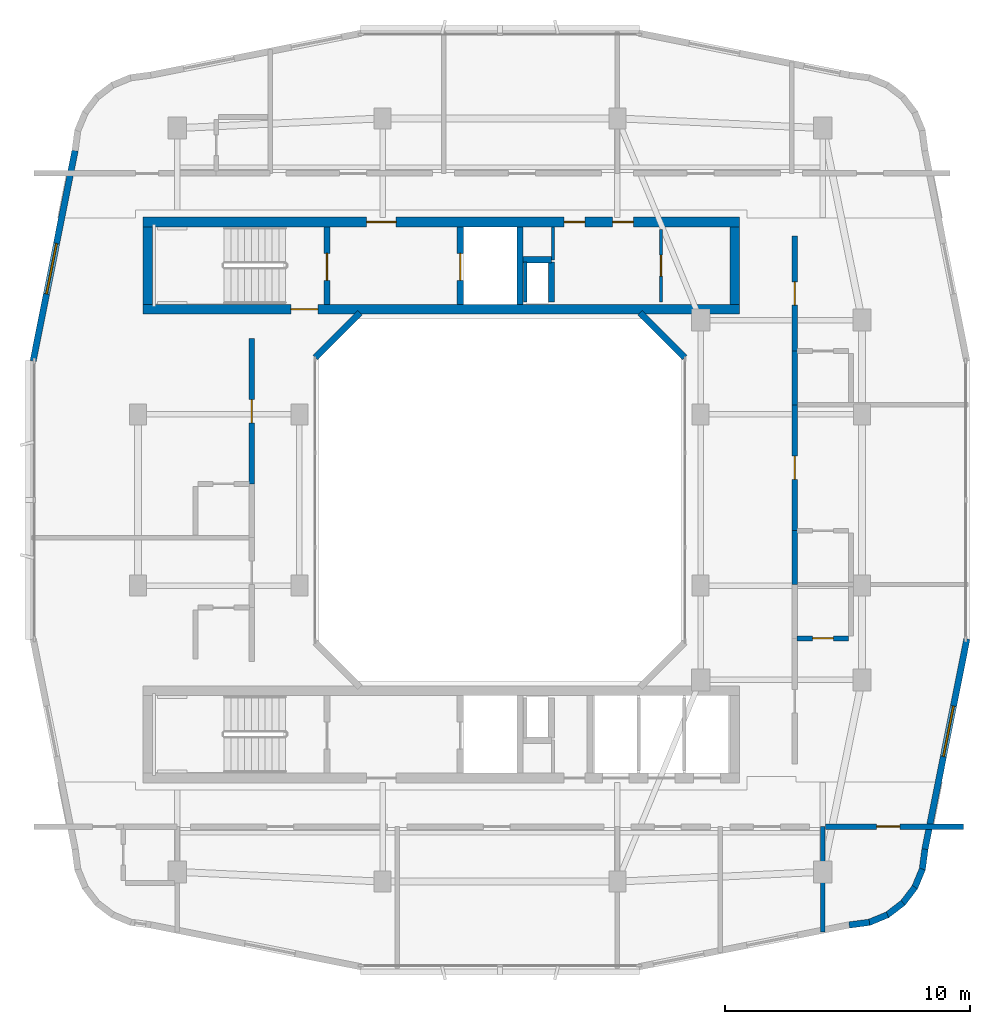
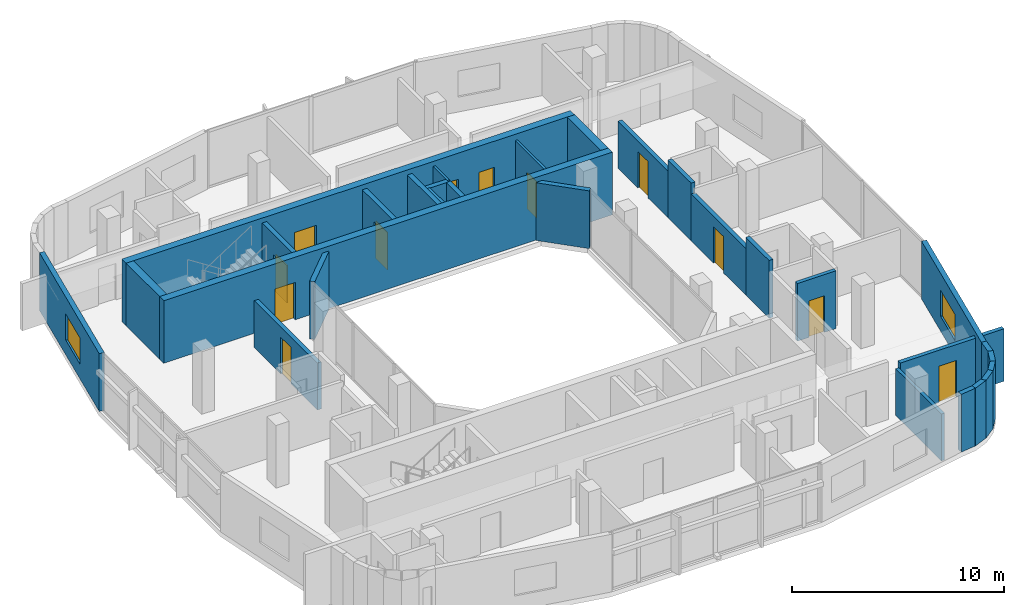
# One storey, part 8 of 14: 30 walls, 12 doors, 2 windows, 14 openings.
"""IFC4 building model written with IfcOpenShell, lengths in metres."""

from ifc_helpers import new_model, si_unit, derived_unit, direction, frame, frame_2d, origin, place, context, subcontext, project, spatial, rectangle, extrude, material, layer, layer_set, type_object, element, fill, save


model = new_model("IFC4")

# Units and contexts
model_context = context("Model", 3, precision=1e-05, world=origin(), true_north=direction((0.0, 1.0)))
body_context = subcontext(model_context, "Body", "Model", "MODEL_VIEW")
ifc_project = project(units=[si_unit("LENGTHUNIT", "METRE"), si_unit("AREAUNIT", "SQUARE_METRE"), si_unit("VOLUMEUNIT", "CUBIC_METRE"), si_unit("PLANEANGLEUNIT", "RADIAN"), si_unit("MASSUNIT", "GRAM", prefix="KILO"), derived_unit("THERMALTRANSMITTANCEUNIT", [(si_unit("POWERUNIT", "WATT"), 1), (si_unit("LENGTHUNIT", "METRE"), -2), (si_unit("THERMODYNAMICTEMPERATUREUNIT", "KELVIN"), -1)])], contexts=[model_context])

# Site, building, storey
site_placement = place(None, origin())
site = spatial("IfcSite", under=ifc_project, at=site_placement, CompositionType="ELEMENT")
building_placement = place(site_placement, origin())
building = spatial("IfcBuilding", under=site, at=building_placement, Name="Kivonza Crest Hotel", CompositionType="ELEMENT")
storey_placement = place(building_placement, frame((0.0, 0.0, 213.5)))
storey = spatial("IfcBuildingStorey", under=building, at=storey_placement, Name="L58", CompositionType="ELEMENT", Elevation=213.5)

# Wall
ifc_material_1 = material(Name="High-density acoustic masonry inter-tenancy wall", Category="masonry")
ifc_layer_1 = layer(ifc_material_1, 0.179931640625)
ifc_layer_set_1 = layer_set([ifc_layer_1], Name="High-density acoustic masonry inter-tenancy wall")
wall_type_1 = type_object("IfcWallType", Name="WL-ACOU-180", PredefinedType="SOLIDWALL", material=ifc_layer_set_1)
wall_1_placement = place(storey_placement, frame((34.199951171875, 7.342041015625, 0.0), z_axis=(0.0, 0.0, 1.0), x_axis=(0.0, 1.0, 0.0)))
element("IfcWall", 1, at=wall_1_placement, inside=storey, type_object=wall_type_1, Name="L58 interior partition WA-L58-T1S-DIV3", PredefinedType="SOLIDWALL", context=body_context, shape_type="SweptSolid", body=[
    extrude(rectangle(XDim=4.307861328125, YDim=0.179931640625, at=frame_2d((2.15380859375, 0.0))), origin(), (0.0, 0.0, 1.0), 2.695068359375),
])

# Wall, opening, door
ifc_material_2 = material(Name="Autoclaved aerated concrete blockwork", Category="masonry")
ifc_layer_2 = layer(ifc_material_2, 0.219970703125)
ifc_layer_set_2 = layer_set([ifc_layer_2], Name="Autoclaved aerated concrete blockwork")
wall_type_2 = type_object("IfcWallType", Name="WL-ACOU-220", PredefinedType="SOLIDWALL", material=ifc_layer_set_2)
wall_2_placement = place(storey_placement, frame((34.300048828125, 11.64990234375, 0.0), z_axis=(0.0, 0.0, 1.0), x_axis=(1.0, 0.0, 0.0)))
wall_2 = element("IfcWall", 2, at=wall_2_placement, inside=storey, type_object=wall_type_2, Name="L58 interior partition WA-L58-BUS-MTG-N", PredefinedType="SOLIDWALL", context=body_context, shape_type="SweptSolid", body=[
    extrude(rectangle(XDim=5.639892578125, YDim=0.219970703125, at=frame_2d((2.81982421875, 0.0))), origin(), (0.0, 0.0, 1.0), 3.014892578125),
])
opening_1_placement = place(wall_2_placement, frame((2.10009765625, 0.0, 0.0)))
opening_1 = element("IfcOpeningElement", 3, at=opening_1_placement, cuts=wall_2, Name="Opening DF-60S", PredefinedType="OPENING", context=body_context, shape_type="SweptSolid", body=[
    extrude(rectangle(XDim=0.949951171875, YDim=2.10009765625, at=frame_2d((0.47509765625, 1.050048828125))), frame((0.0, 0.1201171875, 0.0), z_axis=(0.0, -1.0, 0.0), x_axis=(1.0, 0.0, 0.0)), (0.0, 0.0, 1.0), 0.239990234375),
])
ifc_material_3 = material(Name="Hardwood timber oak", Category="wood")
door_type_1 = type_object("IfcDoorType", Name="DR-FD60-950", OperationType="NOTDEFINED", PredefinedType="DOOR", material=ifc_material_3)
door_1_placement = place(opening_1_placement, frame((0.949951171875, 0.0, 0.0), z_axis=(0.0, 0.0, 1.0), x_axis=(-1.0, 0.0, 0.0)))
door_1 = element("IfcDoor", 4, at=door_1_placement, inside=storey, type_object=door_type_1, Name="L58 Floor Conference Boardroom door", OperationType="SINGLE_SWING_RIGHT", OverallHeight=2.10009765625, OverallWidth=0.949951171875, PredefinedType="DOOR", context=body_context, shape_type="SweptSolid", body=[
    extrude(rectangle(XDim=0.949951171875, YDim=2.10009765625, at=frame_2d((0.47509765625, 1.050048828125))), frame((0.0, 0.02490234375, 0.0), z_axis=(0.0, -1.0, 0.0), x_axis=(1.0, 0.0, 0.0)), (0.0, 0.0, 1.0), 0.050048828125),
])
fill(opening_1, door_1)

wall_3_placement = place(storey_placement, frame((10.85009765625, 25.659912109375, 0.0), z_axis=(0.0, 0.0, 1.0), x_axis=(0.0, 1.0, 0.0)))
wall_3 = element("IfcWall", 5, at=wall_3_placement, inside=storey, type_object=wall_type_2, Name="L58 interior partition WA-L58-W04-MCORR", PredefinedType="SOLIDWALL", context=body_context, shape_type="SweptSolid", body=[
    extrude(rectangle(XDim=5.940185546875, YDim=0.219970703125, at=frame_2d((2.97021484375, 0.0))), origin(), (0.0, 0.0, 1.0), 2.695068359375),
])
opening_2_placement = place(wall_3_placement, frame((2.4951171875, 0.0, 0.0)))
opening_2 = element("IfcOpeningElement", 6, at=opening_2_placement, cuts=wall_3, Name="Opening DU-60", PredefinedType="OPENING", context=body_context, shape_type="SweptSolid", body=[
    extrude(rectangle(XDim=0.949951171875, YDim=2.10009765625, at=frame_2d((0.47509765625, 1.050048828125))), frame((0.0, 0.1201171875, 0.0), z_axis=(0.0, -1.0, 0.0), x_axis=(1.0, 0.0, 0.0)), (0.0, 0.0, 1.0), 0.239990234375),
])
door_type_2 = type_object("IfcDoorType", Name="DR-UNIT-950", OperationType="NOTDEFINED", PredefinedType="DOOR", material=ifc_material_3)
door_2_placement = place(opening_2_placement, origin())
door_2 = element("IfcDoor", 7, at=door_2_placement, inside=storey, type_object=door_type_2, Name="L58 W04 guest unit entrance fire door", OperationType="SINGLE_SWING_RIGHT", OverallHeight=2.10009765625, OverallWidth=0.949951171875, PredefinedType="DOOR", context=body_context, shape_type="SweptSolid", body=[
    extrude(rectangle(XDim=0.949951171875, YDim=2.10009765625, at=frame_2d((0.47509765625, 1.050048828125))), frame((0.0, 0.02490234375, 0.0), z_axis=(0.0, -1.0, 0.0), x_axis=(1.0, 0.0, 0.0)), (0.0, 0.0, 1.0), 0.050048828125),
])
fill(opening_2, door_2)

# Wall
wall_4_placement = place(storey_placement, frame((33.050048828125, 21.5439453125, 0.0), z_axis=(0.0, 0.0, 1.0), x_axis=(0.0, 1.0, 0.0)))
element("IfcWall", 8, at=wall_4_placement, inside=storey, type_object=wall_type_2, Name="L58 interior partition WA-L58-E06-BCORR", PredefinedType="SOLIDWALL", context=body_context, shape_type="SweptSolid", body=[
    extrude(rectangle(XDim=2.199951171875, YDim=0.219970703125, at=frame_2d((1.10009765625, 0.0))), origin(), (0.0, 0.0, 1.0), 3.320068359375),
])

# Wall, opening, door
wall_5_placement = place(storey_placement, frame((33.050048828125, 23.743896484375, 0.0), z_axis=(0.0, 0.0, 1.0), x_axis=(0.0, 1.0, 0.0)))
wall_5 = element("IfcWall", 9, at=wall_5_placement, inside=storey, type_object=wall_type_2, Name="L58 interior partition WA-L58-E06-MCORR", PredefinedType="SOLIDWALL", context=body_context, shape_type="SweptSolid", body=[
    extrude(rectangle(XDim=5.14404296875, YDim=0.219970703125, at=frame_2d((2.572021484375, 0.0))), origin(), (0.0, 0.0, 1.0), 2.695068359375),
])
opening_3_placement = place(wall_5_placement, frame((2.096923828125, 0.0, 0.0)))
opening_3 = element("IfcOpeningElement", 10, at=opening_3_placement, cuts=wall_5, Name="Opening DU-60", PredefinedType="OPENING", context=body_context, shape_type="SweptSolid", body=[
    extrude(rectangle(XDim=0.949951171875, YDim=2.10009765625, at=frame_2d((0.47509765625, 1.050048828125))), frame((0.0, 0.1201171875, 0.0), z_axis=(0.0, -1.0, 0.0), x_axis=(1.0, 0.0, 0.0)), (0.0, 0.0, 1.0), 0.239990234375),
])
door_3_placement = place(opening_3_placement, frame((0.949951171875, 0.0, 0.0), z_axis=(0.0, 0.0, 1.0), x_axis=(-1.0, 0.0, 0.0)))
door_3 = element("IfcDoor", 11, at=door_3_placement, inside=storey, type_object=door_type_2, Name="L58 E06 guest unit entrance fire door", OperationType="SINGLE_SWING_RIGHT", OverallHeight=2.10009765625, OverallWidth=0.949951171875, PredefinedType="DOOR", context=body_context, shape_type="SweptSolid", body=[
    extrude(rectangle(XDim=0.949951171875, YDim=2.10009765625, at=frame_2d((0.47509765625, 1.050048828125))), frame((0.0, 0.02490234375, 0.0), z_axis=(0.0, -1.0, 0.0), x_axis=(1.0, 0.0, 0.0)), (0.0, 0.0, 1.0), 0.050048828125),
])
fill(opening_3, door_3)

# Wall
wall_6_placement = place(storey_placement, frame((33.050048828125, 28.887939453125, 0.0), z_axis=(0.0, 0.0, 1.0), x_axis=(0.0, 1.0, 0.0)))
element("IfcWall", 12, at=wall_6_placement, inside=storey, type_object=wall_type_2, Name="L58 interior partition WA-L58-E07-BCORR", PredefinedType="SOLIDWALL", context=body_context, shape_type="SweptSolid", body=[
    extrude(rectangle(XDim=2.199951171875, YDim=0.219970703125, at=frame_2d((1.10009765625, 0.0))), origin(), (0.0, 0.0, 1.0), 3.320068359375),
])

# Wall, opening, door
wall_7_placement = place(storey_placement, frame((33.050048828125, 31.087890625, 0.0), z_axis=(0.0, 0.0, 1.0), x_axis=(0.0, 1.0, 0.0)))
wall_7 = element("IfcWall", 13, at=wall_7_placement, inside=storey, type_object=wall_type_2, Name="L58 interior partition WA-L58-E07-MCORR", PredefinedType="SOLIDWALL", context=body_context, shape_type="SweptSolid", body=[
    extrude(rectangle(XDim=4.712158203125, YDim=0.219970703125, at=frame_2d((2.35595703125, 0.0))), origin(), (0.0, 0.0, 1.0), 2.695068359375),
])
opening_4_placement = place(wall_7_placement, frame((1.881103515625, 0.0, 0.0)))
opening_4 = element("IfcOpeningElement", 14, at=opening_4_placement, cuts=wall_7, Name="Opening DU-60", PredefinedType="OPENING", context=body_context, shape_type="SweptSolid", body=[
    extrude(rectangle(XDim=0.949951171875, YDim=2.10009765625, at=frame_2d((0.47509765625, 1.050048828125))), frame((0.0, 0.1201171875, 0.0), z_axis=(0.0, -1.0, 0.0), x_axis=(1.0, 0.0, 0.0)), (0.0, 0.0, 1.0), 0.239990234375),
])
door_4_placement = place(opening_4_placement, frame((0.949951171875, 0.0, 0.0), z_axis=(0.0, 0.0, 1.0), x_axis=(-1.0, 0.0, 0.0)))
door_4 = element("IfcDoor", 15, at=door_4_placement, inside=storey, type_object=door_type_2, Name="L58 E07 guest unit entrance fire door", OperationType="SINGLE_SWING_LEFT", OverallHeight=2.10009765625, OverallWidth=0.949951171875, PredefinedType="DOOR", context=body_context, shape_type="SweptSolid", body=[
    extrude(rectangle(XDim=0.949951171875, YDim=2.10009765625, at=frame_2d((0.47509765625, 1.050048828125))), frame((0.0, 0.02490234375, 0.0), z_axis=(0.0, -1.0, 0.0), x_axis=(1.0, 0.0, 0.0)), (0.0, 0.0, 1.0), 0.050048828125),
])
fill(opening_4, door_4)

ifc_material_4 = material(Name="Concrete C50/60", Category="concrete")
ifc_layer_3 = layer(ifc_material_4, 0.39990234375)
ifc_layer_set_3 = layer_set([ifc_layer_3], Name="Concrete C50/60")
wall_type_3 = type_object("IfcWallType", Name="WL-CORE-400", PredefinedType="SHEAR", material=ifc_layer_set_3)
wall_8_placement = place(storey_placement, frame((6.39990234375, 32.800048828125, 0.0), z_axis=(0.0, 0.0, 1.0), x_axis=(1.0, 0.0, 0.0)))
wall_8 = element("IfcWall", 16, at=wall_8_placement, inside=storey, type_object=wall_type_3, Name="Core wall T1-N South L58", PredefinedType="SHEAR", context=body_context, shape_type="SweptSolid", body=[
    extrude(rectangle(XDim=24.400146484375, YDim=0.39990234375, at=frame_2d((12.2001953125, 0.0))), origin(), (0.0, 0.0, 1.0), 3.60009765625),
])
opening_5_placement = place(wall_8_placement, frame((6.050048828125, 0.0, 0.0)))
opening_5 = element("IfcOpeningElement", 17, at=opening_5_placement, cuts=wall_8, Name="Opening DF-120", PredefinedType="OPENING", context=body_context, shape_type="SweptSolid", body=[
    extrude(rectangle(XDim=1.10009765625, YDim=2.14990234375, at=frame_2d((0.550048828125, 1.074951171875))), frame((0.0, 0.2099609375, 0.0), z_axis=(0.0, -1.0, 0.0), x_axis=(1.0, 0.0, 0.0)), (0.0, 0.0, 1.0), 0.419921875),
])
ifc_material_5 = material(Name="Galvanised steel", Category="steel")
door_type_3 = type_object("IfcDoorType", Name="DR-FD120-1100", OperationType="NOTDEFINED", PredefinedType="DOOR", material=ifc_material_5)
door_5_placement = place(opening_5_placement, origin())
door_5 = element("IfcDoor", 18, at=door_5_placement, inside=storey, type_object=door_type_3, Name="L58 West corridor stair access fire door", OperationType="SINGLE_SWING_LEFT", OverallHeight=2.14990234375, OverallWidth=1.10009765625, PredefinedType="DOOR", context=body_context, shape_type="SweptSolid", body=[
    extrude(rectangle(XDim=1.10009765625, YDim=2.14990234375, at=frame_2d((0.550048828125, 1.074951171875))), frame((0.0, 0.02490234375, 0.0), z_axis=(0.0, -1.0, 0.0), x_axis=(1.0, 0.0, 0.0)), (0.0, 0.0, 1.0), 0.050048828125),
])
fill(opening_5, door_5)

# Wall, openings, doors
wall_9_placement = place(storey_placement, frame((6.39990234375, 36.360107421875, 0.0), z_axis=(0.0, 0.0, 1.0), x_axis=(1.0, 0.0, 0.0)))
wall_9 = element("IfcWall", 19, at=wall_9_placement, inside=storey, type_object=wall_type_3, Name="Core wall T1-N North L58", PredefinedType="SHEAR", context=body_context, shape_type="SweptSolid", body=[
    extrude(rectangle(XDim=24.400146484375, YDim=0.39990234375, at=frame_2d((12.2001953125, 0.0))), origin(), (0.0, 0.0, 1.0), 3.60009765625),
])
opening_6_placement = place(wall_9_placement, frame((9.14990234375, 0.0, 0.0)))
opening_6 = element("IfcOpeningElement", 20, at=opening_6_placement, cuts=wall_9, Name="Opening DF-60", PredefinedType="OPENING", context=body_context, shape_type="SweptSolid", body=[
    extrude(rectangle(XDim=1.199951171875, YDim=2.14990234375, at=frame_2d((0.60009765625, 1.074951171875))), frame((0.0, 0.2099609375, 0.0), z_axis=(0.0, -1.0, 0.0), x_axis=(1.0, 0.0, 0.0)), (0.0, 0.0, 1.0), 0.419921875),
])
opening_7_placement = place(wall_9_placement, frame((19.199951171875, 0.0, 0.0)))
opening_7 = element("IfcOpeningElement", 21, at=opening_7_placement, cuts=wall_9, Name="Opening DF-60R", PredefinedType="OPENING", context=body_context, shape_type="SweptSolid", body=[
    extrude(rectangle(XDim=0.85009765625, YDim=2.10009765625, at=frame_2d((0.425048828125, 1.050048828125))), frame((0.0, 0.2099609375, 0.0), z_axis=(0.0, -1.0, 0.0), x_axis=(1.0, 0.0, 0.0)), (0.0, 0.0, 1.0), 0.419921875),
])
opening_8_placement = place(wall_9_placement, frame((17.219970703125, 0.0, 0.0)))
opening_8 = element("IfcOpeningElement", 22, at=opening_8_placement, cuts=wall_9, Name="Opening DF-60R", PredefinedType="OPENING", context=body_context, shape_type="SweptSolid", body=[
    extrude(rectangle(XDim=0.85009765625, YDim=2.10009765625, at=frame_2d((0.425048828125, 1.050048828125))), frame((0.0, 0.2099609375, 0.0), z_axis=(0.0, -1.0, 0.0), x_axis=(1.0, 0.0, 0.0)), (0.0, 0.0, 1.0), 0.419921875),
])
door_type_4 = type_object("IfcDoorType", Name="DR-FD60-1200", OperationType="NOTDEFINED", PredefinedType="DOOR", material=ifc_material_3)
door_6_placement = place(opening_6_placement, origin())
door_6 = element("IfcDoor", 23, at=door_6_placement, inside=storey, type_object=door_type_4, Name="L58 T1-N firefighting lobby fire door", OperationType="SINGLE_SWING_RIGHT", OverallHeight=2.14990234375, OverallWidth=1.199951171875, PredefinedType="DOOR", context=body_context, shape_type="SweptSolid", body=[
    extrude(rectangle(XDim=1.199951171875, YDim=2.14990234375, at=frame_2d((0.60009765625, 1.074951171875))), frame((0.0, 0.02490234375, 0.0), z_axis=(0.0, -1.0, 0.0), x_axis=(1.0, 0.0, 0.0)), (0.0, 0.0, 1.0), 0.050048828125),
])
fill(opening_6, door_6)
door_type_5 = type_object("IfcDoorType", Name="DR-FD60-850", OperationType="NOTDEFINED", PredefinedType="DOOR", material=ifc_material_3)
door_7_placement = place(opening_7_placement, origin())
door_7 = element("IfcDoor", 24, at=door_7_placement, inside=storey, type_object=door_type_5, Name="L58 T1-N reclaimed core service door", OperationType="SINGLE_SWING_LEFT", OverallHeight=2.10009765625, OverallWidth=0.85009765625, PredefinedType="DOOR", context=body_context, shape_type="SweptSolid", body=[
    extrude(rectangle(XDim=0.85009765625, YDim=2.10009765625, at=frame_2d((0.425048828125, 1.050048828125))), frame((0.0, 0.02490234375, 0.0), z_axis=(0.0, -1.0, 0.0), x_axis=(1.0, 0.0, 0.0)), (0.0, 0.0, 1.0), 0.050048828125),
])
fill(opening_7, door_7)
door_8_placement = place(opening_8_placement, origin())
door_8 = element("IfcDoor", 25, at=door_8_placement, inside=storey, type_object=door_type_5, Name="L58 T1-N core room door", OperationType="SINGLE_SWING_RIGHT", OverallHeight=2.10009765625, OverallWidth=0.85009765625, PredefinedType="DOOR", context=body_context, shape_type="SweptSolid", body=[
    extrude(rectangle(XDim=0.85009765625, YDim=2.10009765625, at=frame_2d((0.425048828125, 1.050048828125))), frame((0.0, 0.02490234375, 0.0), z_axis=(0.0, -1.0, 0.0), x_axis=(1.0, 0.0, 0.0)), (0.0, 0.0, 1.0), 0.050048828125),
])
fill(opening_8, door_8)

# Walls
for number, where, z_axis, x_axis, name in (
    (26, (6.60009765625, 33.0, 0.0), (0.0, 0.0, 1.0), (0.0, 1.0, 0.0), "Core wall T1-N West L58"),
    (27, (30.60009765625, 33.0, 0.0), (0.0, 0.0, 1.0), (0.0, 1.0, 0.0), "Core wall T1-N East L58"),
):
    element("IfcWall", number, at=place(storey_placement, frame(where, z_axis=z_axis, x_axis=x_axis)), inside=storey, type_object=wall_type_3, Name=name, PredefinedType="SHEAR", context=body_context, shape_type="SweptSolid", body=[
        extrude(rectangle(XDim=3.159912109375, YDim=0.39990234375, at=frame_2d((1.580078125, 0.0))), origin(), (0.0, 0.0, 1.0), 3.60009765625),
    ])
ifc_material_6 = material(Name="Precast concrete C40/50", Category="concrete")
ifc_layer_4 = layer(ifc_material_6, 0.260009765625)
ifc_layer_set_4 = layer_set([ifc_layer_4], Name="Precast concrete C40/50")
wall_type_4 = type_object("IfcWallType", Name="WL-EXT-260", PredefinedType="STANDARD", material=ifc_layer_set_4)
wall_10_placement = place(storey_placement, frame((35.27490234375, 7.6279296875, 0.0), z_axis=(0.0, 0.0, 1.0), x_axis=(0.9913883573, 0.130954667764, 0.0)))
element("IfcWall", 28, at=wall_10_placement, inside=storey, type_object=wall_type_4, Name="L58 T1 exterior insulated wall 10", PredefinedType="STANDARD", context=body_context, shape_type="SweptSolid", body=[
    extrude(rectangle(XDim=0.833251953125, YDim=0.260009765625, at=frame_2d((0.41650390625, 0.0))), origin(), (0.0, 0.0, 1.0), 3.320068359375),
])
wall_11_placement = place(storey_placement, frame((36.054931640625, 7.718994140625, 0.0), z_axis=(0.0, 0.0, 1.0), x_axis=(0.923754491172, 0.382985169477, 0.0)))
element("IfcWall", 29, at=wall_11_placement, inside=storey, type_object=wall_type_4, Name="L58 T1 exterior insulated wall 11", PredefinedType="STANDARD", context=body_context, shape_type="SweptSolid", body=[
    extrude(rectangle(XDim=0.85107421875, YDim=0.260009765625, at=frame_2d((0.425537109375, 0.0))), origin(), (0.0, 0.0, 1.0), 3.320068359375),
])
for number, where, z_axis, x_axis, name in (
    (30, (36.801025390625, 8.01708984375, 0.0), (0.0, 0.0, 1.0), (0.793999057278, 0.607918988881, 0.0), "L58 T1 exterior insulated wall 12"),
    (31, (37.445068359375, 8.49609375, 0.0), (0.0, 0.0, 1.0), (0.608057619941, 0.793892896323, 0.0), "L58 T1 exterior insulated wall 13"),
):
    element("IfcWall", number, at=place(storey_placement, frame(where, z_axis=z_axis, x_axis=x_axis)), inside=storey, type_object=wall_type_4, Name=name, PredefinedType="STANDARD", context=body_context, shape_type="SweptSolid", body=[
        extrude(rectangle(XDim=0.85009765625, YDim=0.260009765625, at=frame_2d((0.425048828125, 0.0))), origin(), (0.0, 0.0, 1.0), 3.320068359375),
    ])
wall_12_placement = place(storey_placement, frame((37.94091796875, 9.126953125, 0.0), z_axis=(0.0, 0.0, 1.0), x_axis=(0.383229930484, 0.923652976167, 0.0)))
element("IfcWall", 32, at=wall_12_placement, inside=storey, type_object=wall_type_4, Name="L58 T1 exterior insulated wall 14", PredefinedType="STANDARD", context=body_context, shape_type="SweptSolid", body=[
    extrude(rectangle(XDim=0.85107421875, YDim=0.260009765625, at=frame_2d((0.425537109375, 0.0))), origin(), (0.0, 0.0, 1.0), 3.320068359375),
])
wall_13_placement = place(storey_placement, frame((38.259033203125, 9.864013671875, 0.0), z_axis=(0.0, 0.0, 1.0), x_axis=(0.130156359936, 0.991493480548, 0.0)))
element("IfcWall", 33, at=wall_13_placement, inside=storey, type_object=wall_type_4, Name="L58 T1 exterior insulated wall 15", PredefinedType="STANDARD", context=body_context, shape_type="SweptSolid", body=[
    extrude(rectangle(XDim=0.868408203125, YDim=0.260009765625, at=frame_2d((0.43408203125, 0.0))), origin(), (0.0, 0.0, 1.0), 3.320068359375),
])

# Wall, opening, window
wall_14_placement = place(storey_placement, frame((38.37109375, 10.717041015625, 0.0), z_axis=(0.0, 0.0, 1.0), x_axis=(0.195291715883, 0.980745199176, 0.0)))
wall_14 = element("IfcWall", 34, at=wall_14_placement, inside=storey, type_object=wall_type_4, Name="L58 T1 exterior insulated wall 16", PredefinedType="STANDARD", context=body_context, shape_type="SweptSolid", body=[
    extrude(rectangle(XDim=8.77099609375, YDim=0.260009765625, at=frame_2d((4.385498046875, 0.0))), origin(), (0.0, 0.0, 1.0), 3.320068359375),
])
opening_9_placement = place(wall_14_placement, frame((3.873046875, 0.0, 0.85009765625)))
opening_9 = element("IfcOpeningElement", 35, at=opening_9_placement, cuts=wall_14, Name="Opening WN-04", PredefinedType="OPENING", context=body_context, shape_type="SweptSolid", body=[
    extrude(rectangle(XDim=2.10009765625, YDim=1.5, at=frame_2d((1.050048828125, 0.75))), frame((0.0, 0.14013671875, 0.0), z_axis=(0.0, -1.0, 0.0), x_axis=(1.0, 0.0, 0.0)), (0.0, 0.0, 1.0), 0.280029296875),
])
ifc_material_7 = material(Name="Thermally broken bronze aluminium and low-E double glazing", Category="aluminium")
window_type = type_object("IfcWindowType", Name="WN-210x150", PartitioningType="DOUBLE_PANEL_VERTICAL", PredefinedType="WINDOW", material=ifc_material_7)
window_1_placement = place(opening_9_placement, origin())
window_1 = element("IfcWindow", 36, at=window_1_placement, inside=storey, type_object=window_type, Name="L58 T1 facade window 16", OverallHeight=1.5, OverallWidth=2.10009765625, PartitioningType="SINGLE_PANEL", PredefinedType="WINDOW", context=body_context, shape_type="SweptSolid", body=[
    extrude(rectangle(XDim=2.10009765625, YDim=1.5, at=frame_2d((1.050048828125, 0.75))), frame((0.0, 0.030029296875, 0.0), z_axis=(0.0, -1.0, 0.0), x_axis=(1.0, 0.0, 0.0)), (0.0, 0.0, 1.0), 0.06005859375),
])
fill(opening_9, window_1)

wall_15_placement = place(storey_placement, frame((3.62890625, 39.282958984375, 0.0), z_axis=(0.0, 0.0, 1.0), x_axis=(-0.195291715883, -0.980745199176, 0.0)))
wall_15 = element("IfcWall", 37, at=wall_15_placement, inside=storey, type_object=wall_type_4, Name="L58 T1 exterior insulated wall 34", PredefinedType="STANDARD", context=body_context, shape_type="SweptSolid", body=[
    extrude(rectangle(XDim=8.77099609375, YDim=0.260009765625, at=frame_2d((4.385498046875, 0.0))), origin(), (0.0, 0.0, 1.0), 3.320068359375),
])
opening_10_placement = place(wall_15_placement, frame((3.873046875, 0.0, 0.85009765625)))
opening_10 = element("IfcOpeningElement", 38, at=opening_10_placement, cuts=wall_15, Name="Opening WN-04", PredefinedType="OPENING", context=body_context, shape_type="SweptSolid", body=[
    extrude(rectangle(XDim=2.10009765625, YDim=1.5, at=frame_2d((1.050048828125, 0.75))), frame((0.0, 0.14013671875, 0.0), z_axis=(0.0, -1.0, 0.0), x_axis=(1.0, 0.0, 0.0)), (0.0, 0.0, 1.0), 0.280029296875),
])
window_2_placement = place(opening_10_placement, origin())
window_2 = element("IfcWindow", 39, at=window_2_placement, inside=storey, type_object=window_type, Name="L58 T1 facade window 34", OverallHeight=1.5, OverallWidth=2.10009765625, PartitioningType="SINGLE_PANEL", PredefinedType="WINDOW", context=body_context, shape_type="SweptSolid", body=[
    extrude(rectangle(XDim=2.10009765625, YDim=1.5, at=frame_2d((1.050048828125, 0.75))), frame((0.0, 0.030029296875, 0.0), z_axis=(0.0, -1.0, 0.0), x_axis=(1.0, 0.0, 0.0)), (0.0, 0.0, 1.0), 0.06005859375),
])
fill(opening_10, window_2)

# Walls
for number, where, z_axis, x_axis, name in (
    (40, (28.555908203125, 30.827880859375, 0.0), (0.0, 0.0, 1.0), (-0.707059717605, 0.707153841636, 0.0), "L58 T1 light-well exterior wall 4"),
    (41, (15.278076171875, 32.662109375, 0.0), (0.0, 0.0, 1.0), (-0.707059717605, -0.707153841636, 0.0), "L58 T1 light-well exterior wall 6"),
):
    element("IfcWall", number, at=place(storey_placement, frame(where, z_axis=z_axis, x_axis=x_axis)), inside=storey, type_object=wall_type_4, Name=name, PredefinedType="STANDARD", context=body_context, shape_type="SweptSolid", body=[
        extrude(rectangle(XDim=2.59375, YDim=0.260009765625, at=frame_2d((1.296875, 0.0))), origin(), (0.0, 0.0, 1.0), 3.320068359375),
    ])
ifc_material_8 = material(Name="Concrete blockwork fire-compartment wall", Category="masonry")
ifc_layer_5 = layer(ifc_material_8, 0.25)
ifc_layer_set_5 = layer_set([ifc_layer_5], Name="Concrete blockwork fire-compartment wall")
wall_type_5 = type_object("IfcWallType", Name="WL-FIRE-250", PredefinedType="SOLIDWALL", material=ifc_layer_set_5)
wall_16_placement = place(storey_placement, frame((23.10009765625, 33.10009765625, 0.0), z_axis=(0.0, 0.0, 1.0), x_axis=(0.0, 1.0, 0.0)))
element("IfcWall", 42, at=wall_16_placement, inside=storey, type_object=wall_type_5, Name="L58 interior partition WA-L58-T1-N-MEPR-E", PredefinedType="SOLIDWALL", context=body_context, shape_type="SweptSolid", body=[
    extrude(rectangle(XDim=1.619873046875, YDim=0.25, at=frame_2d((0.81005859375, 0.0))), origin(), (0.0, 0.0, 1.0), 3.320068359375),
])
wall_17_placement = place(storey_placement, frame((21.949951171875, 34.820068359375, 0.0), z_axis=(0.0, 0.0, 1.0), x_axis=(1.0, 0.0, 0.0)))
element("IfcWall", 43, at=wall_17_placement, inside=storey, type_object=wall_type_5, Name="L58 interior partition WA-L58-T1-N-MEPR-H", PredefinedType="SOLIDWALL", context=body_context, shape_type="SweptSolid", body=[
    extrude(rectangle(XDim=1.150146484375, YDim=0.25, at=frame_2d((0.5751953125, 0.0))), origin(), (0.0, 0.0, 1.0), 3.320068359375),
])

# Wall, opening, door
ifc_material_9 = material(Name="Metal-stud gypsum board partition", Category="gypsum")
ifc_layer_6 = layer(ifc_material_9, 0.125)
ifc_layer_set_6 = layer_set([ifc_layer_6], Name="Metal-stud gypsum board partition")
wall_type_6 = type_object("IfcWallType", Name="WL-PART-125", PredefinedType="PARTITIONING", material=ifc_layer_set_6)
wall_18_placement = place(storey_placement, frame((27.580078125, 33.10009765625, 0.0), z_axis=(0.0, 0.0, 1.0), x_axis=(0.0, 1.0, 0.0)))
wall_18 = element("IfcWall", 44, at=wall_18_placement, inside=storey, type_object=wall_type_6, Name="L58 interior partition WP-L58-T1-N-RECL", PredefinedType="PARTITIONING", context=body_context, shape_type="SweptSolid", body=[
    extrude(rectangle(XDim=2.9599609375, YDim=0.125, at=frame_2d((1.47998046875, 0.0))), origin(), (0.0, 0.0, 1.0), 3.320068359375),
])
opening_11_placement = place(wall_18_placement, frame((1.054931640625, 0.0, 0.0)))
opening_11 = element("IfcOpeningElement", 45, at=opening_11_placement, cuts=wall_18, Name="Opening DI-85", PredefinedType="OPENING", context=body_context, shape_type="SweptSolid", body=[
    extrude(rectangle(XDim=0.85009765625, YDim=2.10009765625, at=frame_2d((0.425048828125, 1.050048828125))), frame((0.0, 0.072509765625, 0.0), z_axis=(0.0, -1.0, 0.0), x_axis=(1.0, 0.0, 0.0)), (0.0, 0.0, 1.0), 0.14501953125),
])
door_type_6 = type_object("IfcDoorType", Name="DR-INT-850", OperationType="NOTDEFINED", PredefinedType="DOOR", material=ifc_material_3)
door_9_placement = place(opening_11_placement, origin())
door_9 = element("IfcDoor", 46, at=door_9_placement, inside=storey, type_object=door_type_6, Name="L58 T1-N reclaimed inner pantry door", OperationType="SINGLE_SWING_LEFT", OverallHeight=2.10009765625, OverallWidth=0.85009765625, PredefinedType="DOOR", context=body_context, shape_type="SweptSolid", body=[
    extrude(rectangle(XDim=0.85009765625, YDim=2.10009765625, at=frame_2d((0.425048828125, 1.050048828125))), frame((0.0, 0.02490234375, 0.0), z_axis=(0.0, -1.0, 0.0), x_axis=(1.0, 0.0, 0.0)), (0.0, 0.0, 1.0), 0.050048828125),
])
fill(opening_11, door_9)

# Walls
wall_19_placement = place(storey_placement, frame((23.159912109375, 34.820068359375, 0.0), z_axis=(0.0, 0.0, 1.0), x_axis=(0.0, 1.0, 0.0)))
element("IfcWall", 47, at=wall_19_placement, inside=storey, type_object=wall_type_6, Name="L58 interior partition WP-L58-T1-N-SV1V", PredefinedType="PARTITIONING", context=body_context, shape_type="SweptSolid", body=[
    extrude(rectangle(XDim=1.33984375, YDim=0.125, at=frame_2d((0.669921875, 0.0))), origin(), (0.0, 0.0, 1.0), 3.320068359375),
])
ifc_material_10 = material(Name="Twin-stud acoustic gypsum board partition", Category="gypsum")
ifc_layer_7 = layer(ifc_material_10, 0.14990234375)
ifc_layer_set_7 = layer_set([ifc_layer_7], Name="Twin-stud acoustic gypsum board partition")
wall_type_7 = type_object("IfcWallType", Name="WL-PART-150", PredefinedType="PARTITIONING", material=ifc_layer_set_7)
wall_20_placement = place(storey_placement, frame((22.030029296875, 33.10009765625, 0.0), z_axis=(0.0, 0.0, 1.0), x_axis=(0.0, 1.0, 0.0)))
element("IfcWall", 48, at=wall_20_placement, inside=storey, type_object=wall_type_7, Name="L58 interior partition WA-L58-T1-N-MEPR-W", PredefinedType="PARTITIONING", context=body_context, shape_type="SweptSolid", body=[
    extrude(rectangle(XDim=1.619873046875, YDim=0.14990234375, at=frame_2d((0.81005859375, 0.0))), origin(), (0.0, 0.0, 1.0), 3.320068359375),
])

# Wall, opening, door
ifc_material_11 = material(Name="Moisture-resistant plumbing chase partition wall", Category="gypsum")
ifc_layer_8 = layer(ifc_material_11, 0.199951171875)
ifc_layer_set_8 = layer_set([ifc_layer_8], Name="Moisture-resistant plumbing chase partition wall")
wall_type_8 = type_object("IfcWallType", Name="WL-PLUMB-200", PredefinedType="PLUMBINGWALL", material=ifc_layer_set_8)
wall_21_placement = place(storey_placement, frame((33.14990234375, 19.343994140625, 0.0), z_axis=(0.0, 0.0, 1.0), x_axis=(1.0, 0.0, 0.0)))
wall_21 = element("IfcWall", 49, at=wall_21_placement, inside=storey, type_object=wall_type_8, Name="L58 interior partition WW-L58-E05-BH", PredefinedType="PLUMBINGWALL", context=body_context, shape_type="SweptSolid", body=[
    extrude(rectangle(XDim=2.10009765625, YDim=0.199951171875, at=frame_2d((1.050048828125, 0.0))), origin(), (0.0, 0.0, 1.0), 3.320068359375),
])
opening_12_placement = place(wall_21_placement, frame((0.625, 0.0, 0.0)))
opening_12 = element("IfcOpeningElement", 50, at=opening_12_placement, cuts=wall_21, Name="Opening DI-85", PredefinedType="OPENING", context=body_context, shape_type="SweptSolid", body=[
    extrude(rectangle(XDim=0.85009765625, YDim=2.10009765625, at=frame_2d((0.425048828125, 1.050048828125))), frame((0.0, 0.10986328125, 0.0), z_axis=(0.0, -1.0, 0.0), x_axis=(1.0, 0.0, 0.0)), (0.0, 0.0, 1.0), 0.219970703125),
])
door_10_placement = place(opening_12_placement, frame((0.85009765625, 0.0, 0.0), z_axis=(0.0, 0.0, 1.0), x_axis=(-1.0, 0.0, 0.0)))
door_10 = element("IfcDoor", 51, at=door_10_placement, inside=storey, type_object=door_type_6, Name="L58 E05 en-suite bathroom door", OperationType="SINGLE_SWING_RIGHT", OverallHeight=2.10009765625, OverallWidth=0.85009765625, PredefinedType="DOOR", context=body_context, shape_type="SweptSolid", body=[
    extrude(rectangle(XDim=0.85009765625, YDim=2.10009765625, at=frame_2d((0.425048828125, 1.050048828125))), frame((0.0, 0.02490234375, 0.0), z_axis=(0.0, -1.0, 0.0), x_axis=(1.0, 0.0, 0.0)), (0.0, 0.0, 1.0), 0.050048828125),
])
fill(opening_12, door_10)

ifc_layer_9 = layer(ifc_material_4, 0.25)
ifc_layer_set_9 = layer_set([ifc_layer_9], Name="Concrete C50/60")
wall_type_9 = type_object("IfcWallType", Name="WL-SHAFT-250", PredefinedType="STANDARD", material=ifc_layer_set_9)
wall_22_placement = place(storey_placement, frame((13.925048828125, 33.0, 0.0), z_axis=(0.0, 0.0, 1.0), x_axis=(0.0, 1.0, 0.0)))
wall_22 = element("IfcWall", 52, at=wall_22_placement, inside=storey, type_object=wall_type_9, Name="Core shaft wall T1-N STAIR L58", PredefinedType="STANDARD", context=body_context, shape_type="SweptSolid", body=[
    extrude(rectangle(XDim=3.159912109375, YDim=0.25, at=frame_2d((1.580078125, 0.0))), origin(), (0.0, 0.0, 1.0), 3.320068359375),
])
opening_13_placement = place(wall_22_placement, frame((0.97998046875, 0.0, 0.0)))
opening_13 = element("IfcOpeningElement", 53, at=opening_13_placement, cuts=wall_22, Name="Opening DF-120", PredefinedType="OPENING", context=body_context, shape_type="SweptSolid", body=[
    extrude(rectangle(XDim=1.10009765625, YDim=2.14990234375, at=frame_2d((0.550048828125, 1.074951171875))), frame((0.0, 0.135009765625, 0.0), z_axis=(0.0, -1.0, 0.0), x_axis=(1.0, 0.0, 0.0)), (0.0, 0.0, 1.0), 0.27001953125),
])
door_11_placement = place(opening_13_placement, frame((1.10009765625, 0.0, 0.0), z_axis=(0.0, 0.0, 1.0), x_axis=(-1.0, 0.0, 0.0)))
door_11 = element("IfcDoor", 54, at=door_11_placement, inside=storey, type_object=door_type_3, Name="L58 T1-N stair fire door", OperationType="SINGLE_SWING_LEFT", OverallHeight=2.14990234375, OverallWidth=1.10009765625, PredefinedType="DOOR", context=body_context, shape_type="SweptSolid", body=[
    extrude(rectangle(XDim=1.10009765625, YDim=2.14990234375, at=frame_2d((0.550048828125, 1.074951171875))), frame((0.0, 0.02490234375, 0.0), z_axis=(0.0, -1.0, 0.0), x_axis=(1.0, 0.0, 0.0)), (0.0, 0.0, 1.0), 0.050048828125),
])
fill(opening_13, door_11)

wall_23_placement = place(storey_placement, frame((19.375, 33.0, 0.0), z_axis=(0.0, 0.0, 1.0), x_axis=(0.0, 1.0, 0.0)))
wall_23 = element("IfcWall", 55, at=wall_23_placement, inside=storey, type_object=wall_type_9, Name="Core shaft wall T1-N FFL-W L58", PredefinedType="STANDARD", context=body_context, shape_type="SweptSolid", body=[
    extrude(rectangle(XDim=3.159912109375, YDim=0.25, at=frame_2d((1.580078125, 0.0))), origin(), (0.0, 0.0, 1.0), 3.320068359375),
])
opening_14_placement = place(wall_23_placement, frame((0.97998046875, 0.0, 0.0)))
opening_14 = element("IfcOpeningElement", 56, at=opening_14_placement, cuts=wall_23, Name="Opening LD-120", PredefinedType="OPENING", context=body_context, shape_type="SweptSolid", body=[
    extrude(rectangle(XDim=1.10009765625, YDim=2.14990234375, at=frame_2d((0.550048828125, 1.074951171875))), frame((0.0, 0.135009765625, 0.0), z_axis=(0.0, -1.0, 0.0), x_axis=(1.0, 0.0, 0.0)), (0.0, 0.0, 1.0), 0.27001953125),
])
ifc_material_12 = material(Name="Stainless steel", Category="steel")
door_type_7 = type_object("IfcDoorType", Name="DR-LD120-1100", OperationType="NOTDEFINED", PredefinedType="DOOR", material=ifc_material_12)
door_12_placement = place(opening_14_placement, origin())
door_12 = element("IfcDoor", 57, at=door_12_placement, inside=storey, type_object=door_type_7, Name="L58 FFL-T1-N firefighting lift sliding landing door", OperationType="DOUBLE_DOOR_SLIDING", OverallHeight=2.14990234375, OverallWidth=1.10009765625, PredefinedType="DOOR", context=body_context, shape_type="SweptSolid", body=[
    extrude(rectangle(XDim=1.10009765625, YDim=2.14990234375, at=frame_2d((0.550048828125, 1.074951171875))), frame((0.0, 0.02490234375, 0.0), z_axis=(0.0, -1.0, 0.0), x_axis=(1.0, 0.0, 0.0)), (0.0, 0.0, 1.0), 0.050048828125),
])
fill(opening_14, door_12)

# Wall
wall_24_placement = place(storey_placement, frame((21.824951171875, 33.0, 0.0), z_axis=(0.0, 0.0, 1.0), x_axis=(0.0, 1.0, 0.0)))
element("IfcWall", 58, at=wall_24_placement, inside=storey, type_object=wall_type_9, Name="Core shaft wall T1-N FFL-E L58", PredefinedType="STANDARD", context=body_context, shape_type="SweptSolid", body=[
    extrude(rectangle(XDim=3.159912109375, YDim=0.25, at=frame_2d((1.580078125, 0.0))), origin(), (0.0, 0.0, 1.0), 3.320068359375),
])

save(model, "model.ifc")
